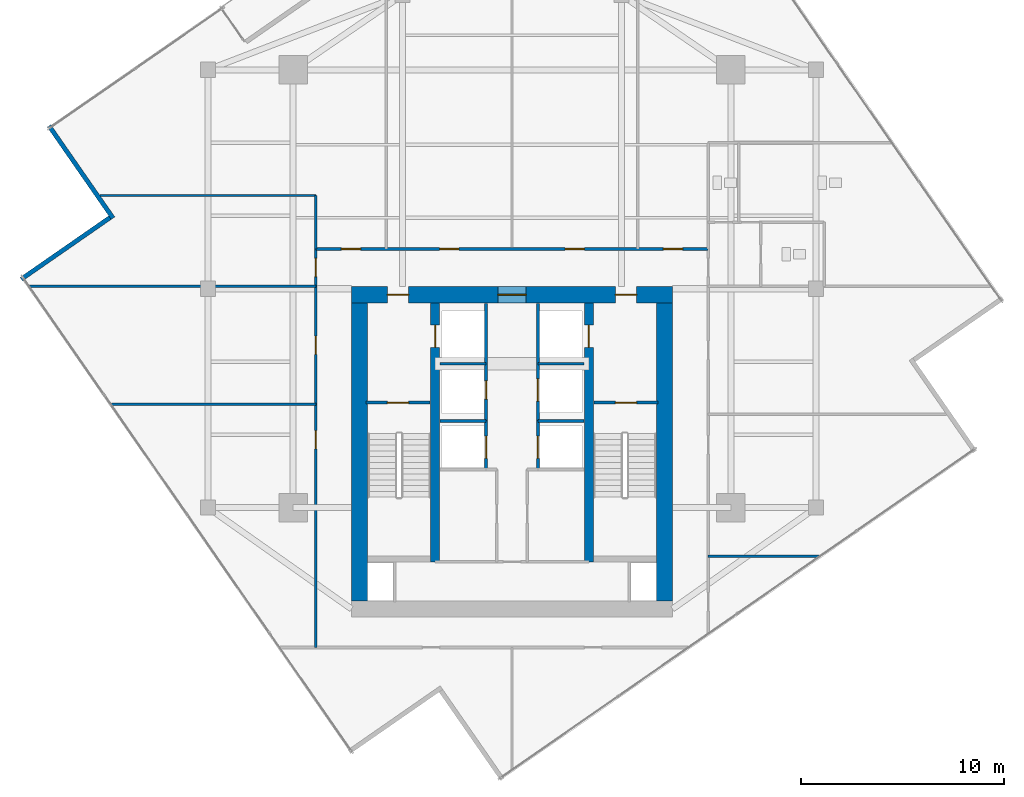
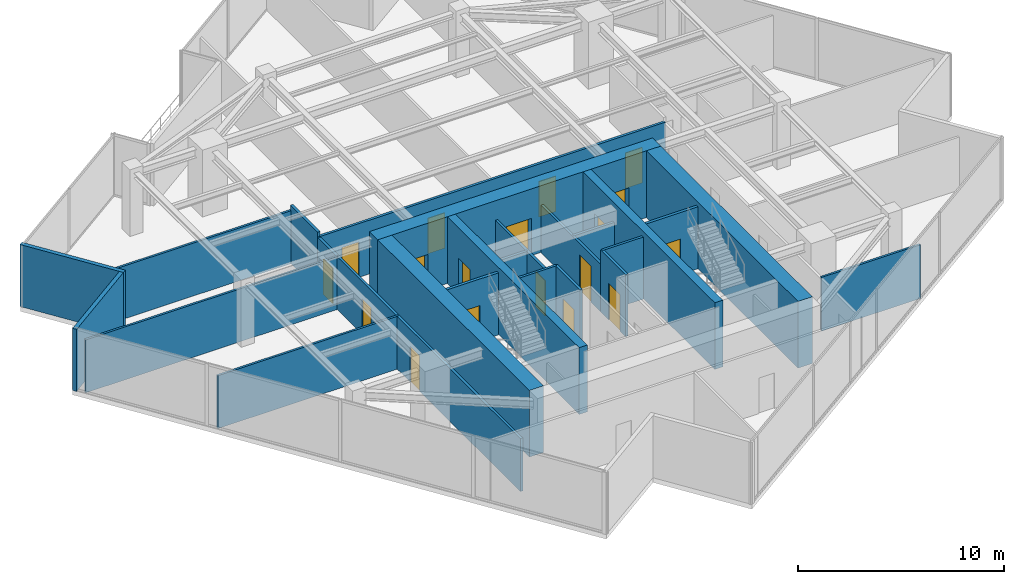
# One storey, part 18 of 21: 24 walls, 18 doors, 18 openings.
"""IFC4 building model written with IfcOpenShell, lengths in metres."""

from ifc_helpers import new_model, si_unit, direction, frame, frame_2d, origin, place, context, subcontext, project, spatial, rectangle, extrude, material, layer, layer_set, type_object, element, fill, save


model = new_model("IFC4")

# Units and contexts
model_context = context("Model", 3, precision=1e-05, world=origin(), true_north=direction((0.0, 1.0)))
body_context = subcontext(model_context, "Body", "Model", "MODEL_VIEW")
ifc_project = project(units=[si_unit("LENGTHUNIT", "METRE"), si_unit("AREAUNIT", "SQUARE_METRE"), si_unit("VOLUMEUNIT", "CUBIC_METRE"), si_unit("PLANEANGLEUNIT", "RADIAN"), si_unit("MASSUNIT", "GRAM", prefix="KILO")], contexts=[model_context])

# Site, building, storey
site_placement = place(None, origin())
site = spatial("IfcSite", under=ifc_project, at=site_placement, CompositionType="ELEMENT")
building_placement = place(site_placement, origin())
building = spatial("IfcBuilding", under=site, at=building_placement, Name="Krantzveldt Concourse Tower", CompositionType="ELEMENT")
storey_placement = place(building_placement, frame((0.0, 0.0, 279.25)))
storey = spatial("IfcBuildingStorey", under=building, at=storey_placement, Name="L68", CompositionType="ELEMENT", Elevation=279.25)

# Walls
ifc_material_1 = material(Name="Anodised aluminium 6063-T6", Category="aluminium")
ifc_layer_1 = layer(ifc_material_1, 0.219970703125, Name="Anodised aluminium 6063-T6", Category="aluminium")
ifc_layer_set_1 = layer_set([ifc_layer_1], Name="Anodised aluminium 6063-T6 (WL-EXT-NOTCH220)")
wall_type_1 = type_object("IfcWallType", Name="WL-EXT-NOTCH220", PredefinedType="ELEMENTEDWALL", material=ifc_layer_set_1)
wall_1_placement = place(storey_placement, frame((13.154541015625, 34.736572265625, 0.0), z_axis=(0.0, 0.0, 1.0), x_axis=(0.569988141022, -0.821652918874, 0.0)))
element("IfcWall", 1, at=wall_1_placement, inside=storey, type_object=wall_type_1, Name="EW-L68-NCH06", PredefinedType="ELEMENTEDWALL", context=body_context, shape_type="SweptSolid", body=[
    extrude(rectangle(XDim=5.545166015625, YDim=0.219970703125, at=frame_2d((2.7724609375, 0.0))), origin(), (0.0, 0.0, 1.0), 3.669921875),
])
wall_2_placement = place(storey_placement, frame((16.162109375, 30.208251953125, 0.0), z_axis=(0.0, 0.0, 1.0), x_axis=(-0.821652092748, -0.569989331903, 0.0)))
element("IfcWall", 2, at=wall_2_placement, inside=storey, type_object=wall_type_1, Name="EW-L68-NCH07", PredefinedType="ELEMENTEDWALL", context=body_context, shape_type="SweptSolid", body=[
    extrude(rectangle(XDim=5.324951171875, YDim=0.219970703125, at=frame_2d((2.66259765625, 0.0))), origin(), (0.0, 0.0, 1.0), 3.669921875),
])
ifc_material_2 = material(Name="Fire-rated gypsum plasterboard on steel stud", Category="steel")
ifc_layer_2 = layer(ifc_material_2, 0.1201171875, Name="Fire-rated gypsum plasterboard on steel stud", Category="steel")
ifc_layer_set_2 = layer_set([ifc_layer_2], Name="Fire-rated gypsum plasterboard on steel stud (WL-PART-120)")
wall_type_2 = type_object("IfcWallType", Name="WL-PART-120", PredefinedType="PARTITIONING", material=ifc_layer_set_2)
wall_3_placement = place(storey_placement, frame((12.171875, 26.820068359375, 0.0), z_axis=(0.0, 0.0, 1.0), x_axis=(1.0, 0.0, 0.0)))
element("IfcWall", 3, at=wall_3_placement, inside=storey, type_object=wall_type_2, Name="WP-L68-PNTS", PredefinedType="PARTITIONING", context=body_context, shape_type="SweptSolid", body=[
    extrude(rectangle(XDim=14.148193359375, YDim=0.1201171875, at=frame_2d((7.07421875, 0.0))), origin(), (0.0, 0.0, 1.0), 3.1298828125),
])
wall_4_placement = place(storey_placement, frame((15.6787109375, 31.300048828125, 0.0), z_axis=(0.0, 0.0, 1.0), x_axis=(1.0, 0.0, 0.0)))
element("IfcWall", 4, at=wall_4_placement, inside=storey, type_object=wall_type_2, Name="WP-L68-PNTN", PredefinedType="PARTITIONING", context=body_context, shape_type="SweptSolid", body=[
    extrude(rectangle(XDim=10.641357421875, YDim=0.1201171875, at=frame_2d((5.32080078125, 0.0))), origin(), (0.0, 0.0, 1.0), 3.1298828125),
])
wall_5_placement = place(storey_placement, frame((16.209228515625, 21.0, 0.0), z_axis=(0.0, 0.0, 1.0), x_axis=(1.0, 0.0, 0.0)))
element("IfcWall", 5, at=wall_5_placement, inside=storey, type_object=wall_type_2, Name="WP-L68-WD1", PredefinedType="PARTITIONING", context=body_context, shape_type="SweptSolid", body=[
    extrude(rectangle(XDim=10.11083984375, YDim=0.1201171875, at=frame_2d((5.055419921875, 0.0))), origin(), (0.0, 0.0, 1.0), 3.1298828125),
])
wall_6_placement = place(storey_placement, frame((45.679931640625, 13.5, 0.0), z_axis=(0.0, 0.0, 1.0), x_axis=(1.0, 0.0, 0.0)))
element("IfcWall", 6, at=wall_6_placement, inside=storey, type_object=wall_type_2, Name="WP-L68-ED1", PredefinedType="PARTITIONING", context=body_context, shape_type="SweptSolid", body=[
    extrude(rectangle(XDim=5.5205078125, YDim=0.1201171875, at=frame_2d((2.76025390625, 0.0))), origin(), (0.0, 0.0, 1.0), 3.179931640625),
])

# Wall, openings, doors
ifc_layer_3 = layer(ifc_material_2, 0.139892578125, Name="Fire-rated gypsum plasterboard on steel stud", Category="steel")
ifc_layer_set_3 = layer_set([ifc_layer_3], Name="Fire-rated gypsum plasterboard on steel stud (WL-PART-140)")
wall_type_3 = type_object("IfcWallType", Name="WL-PART-140", PredefinedType="PARTITIONING", material=ifc_layer_set_3)
wall_7_placement = place(storey_placement, frame((26.320068359375, 28.659912109375, 0.0), z_axis=(0.0, 0.0, 1.0), x_axis=(1.0, 0.0, 0.0)))
wall_7 = element("IfcWall", 7, at=wall_7_placement, inside=storey, type_object=wall_type_3, Name="WP-L68-CNHDR", PredefinedType="PARTITIONING", context=body_context, shape_type="SweptSolid", body=[
    extrude(rectangle(XDim=19.35986328125, YDim=0.139892578125, at=frame_2d((9.679931640625, 0.0))), origin(), (0.0, 0.0, 1.0), 3.179931640625),
])
opening_1_placement = place(wall_7_placement, frame((1.264892578125, 0.0, 0.0)))
opening_1 = element("IfcOpeningElement", 8, at=opening_1_placement, cuts=wall_7, Name="Opening D-IN095", PredefinedType="OPENING", context=body_context, shape_type="SweptSolid", body=[
    extrude(rectangle(XDim=0.949951171875, YDim=2.10009765625, at=frame_2d((0.47509765625, 1.050048828125))), frame((0.0, 0.080078125, 0.0), z_axis=(0.0, -1.0, 0.0), x_axis=(1.0, 0.0, 0.0)), (0.0, 0.0, 1.0), 0.159912109375),
])
opening_2_placement = place(wall_7_placement, frame((6.10498046875, 0.0, 0.0)))
opening_2 = element("IfcOpeningElement", 9, at=opening_2_placement, cuts=wall_7, Name="Opening D-IN095", PredefinedType="OPENING", context=body_context, shape_type="SweptSolid", body=[
    extrude(rectangle(XDim=0.949951171875, YDim=2.10009765625, at=frame_2d((0.47509765625, 1.050048828125))), frame((0.0, 0.080078125, 0.0), z_axis=(0.0, -1.0, 0.0), x_axis=(1.0, 0.0, 0.0)), (0.0, 0.0, 1.0), 0.159912109375),
])
opening_3_placement = place(wall_7_placement, frame((12.304931640625, 0.0, 0.0)))
opening_3 = element("IfcOpeningElement", 10, at=opening_3_placement, cuts=wall_7, Name="Opening D-IN095", PredefinedType="OPENING", context=body_context, shape_type="SweptSolid", body=[
    extrude(rectangle(XDim=0.949951171875, YDim=2.10009765625, at=frame_2d((0.47509765625, 1.050048828125))), frame((0.0, 0.080078125, 0.0), z_axis=(0.0, -1.0, 0.0), x_axis=(1.0, 0.0, 0.0)), (0.0, 0.0, 1.0), 0.159912109375),
])
opening_4_placement = place(wall_7_placement, frame((17.14501953125, 0.0, 0.0)))
opening_4 = element("IfcOpeningElement", 11, at=opening_4_placement, cuts=wall_7, Name="Opening D-IN095", PredefinedType="OPENING", context=body_context, shape_type="SweptSolid", body=[
    extrude(rectangle(XDim=0.949951171875, YDim=2.10009765625, at=frame_2d((0.47509765625, 1.050048828125))), frame((0.0, 0.080078125, 0.0), z_axis=(0.0, -1.0, 0.0), x_axis=(1.0, 0.0, 0.0)), (0.0, 0.0, 1.0), 0.159912109375),
])
ifc_material_3 = material(Name="Hardwood timber", Category="wood")
door_type_1 = type_object("IfcDoorType", Name="DR-INT-950", OperationType="SINGLE_SWING_LEFT", PredefinedType="DOOR", material=ifc_material_3)
door_1_placement = place(opening_1_placement, origin())
door_1 = element("IfcDoor", 12, at=door_1_placement, inside=storey, type_object=door_type_1, Name="DR-L68-NR1", OperationType="SINGLE_SWING_LEFT", OverallHeight=2.10009765625, OverallWidth=0.949951171875, PredefinedType="DOOR", context=body_context, shape_type="SweptSolid", body=[
    extrude(rectangle(XDim=0.949951171875, YDim=2.10009765625, at=frame_2d((0.47509765625, 1.050048828125))), frame((0.0, 0.02490234375, 0.0), z_axis=(0.0, -1.0, 0.0), x_axis=(1.0, 0.0, 0.0)), (0.0, 0.0, 1.0), 0.050048828125),
])
fill(opening_1, door_1)
door_2_placement = place(opening_2_placement, origin())
door_2 = element("IfcDoor", 13, at=door_2_placement, inside=storey, type_object=door_type_1, Name="DR-L68-NR2", OperationType="SINGLE_SWING_LEFT", OverallHeight=2.10009765625, OverallWidth=0.949951171875, PredefinedType="DOOR", context=body_context, shape_type="SweptSolid", body=[
    extrude(rectangle(XDim=0.949951171875, YDim=2.10009765625, at=frame_2d((0.47509765625, 1.050048828125))), frame((0.0, 0.02490234375, 0.0), z_axis=(0.0, -1.0, 0.0), x_axis=(1.0, 0.0, 0.0)), (0.0, 0.0, 1.0), 0.050048828125),
])
fill(opening_2, door_2)
door_3_placement = place(opening_3_placement, origin())
door_3 = element("IfcDoor", 14, at=door_3_placement, inside=storey, type_object=door_type_1, Name="DR-L68-NR3", OperationType="SINGLE_SWING_LEFT", OverallHeight=2.10009765625, OverallWidth=0.949951171875, PredefinedType="DOOR", context=body_context, shape_type="SweptSolid", body=[
    extrude(rectangle(XDim=0.949951171875, YDim=2.10009765625, at=frame_2d((0.47509765625, 1.050048828125))), frame((0.0, 0.02490234375, 0.0), z_axis=(0.0, -1.0, 0.0), x_axis=(1.0, 0.0, 0.0)), (0.0, 0.0, 1.0), 0.050048828125),
])
fill(opening_3, door_3)
door_4_placement = place(opening_4_placement, origin())
door_4 = element("IfcDoor", 15, at=door_4_placement, inside=storey, type_object=door_type_1, Name="DR-L68-NR4", OperationType="SINGLE_SWING_LEFT", OverallHeight=2.10009765625, OverallWidth=0.949951171875, PredefinedType="DOOR", context=body_context, shape_type="SweptSolid", body=[
    extrude(rectangle(XDim=0.949951171875, YDim=2.10009765625, at=frame_2d((0.47509765625, 1.050048828125))), frame((0.0, 0.02490234375, 0.0), z_axis=(0.0, -1.0, 0.0), x_axis=(1.0, 0.0, 0.0)), (0.0, 0.0, 1.0), 0.050048828125),
])
fill(opening_4, door_4)

wall_8_placement = place(storey_placement, frame((26.320068359375, 9.0, 0.0), z_axis=(0.0, 0.0, 1.0), x_axis=(0.0, 1.0, 0.0)))
wall_8 = element("IfcWall", 16, at=wall_8_placement, inside=storey, type_object=wall_type_3, Name="WP-L68-CWEST", PredefinedType="PARTITIONING", context=body_context, shape_type="SweptSolid", body=[
    extrude(rectangle(XDim=19.659912109375, YDim=0.139892578125, at=frame_2d((9.830078125, 0.0))), origin(), (0.0, 0.0, 1.0), 3.1298828125),
])
opening_5_placement = place(wall_8_placement, frame((18.300048828125, 0.0, 0.0)))
opening_5 = element("IfcOpeningElement", 17, at=opening_5_placement, cuts=wall_8, Name="Opening D-IN090", PredefinedType="OPENING", context=body_context, shape_type="SweptSolid", body=[
    extrude(rectangle(XDim=0.89990234375, YDim=2.10009765625, at=frame_2d((0.449951171875, 1.050048828125))), frame((0.0, 0.080078125, 0.0), z_axis=(0.0, -1.0, 0.0), x_axis=(1.0, 0.0, 0.0)), (0.0, 0.0, 1.0), 0.159912109375),
])
opening_6_placement = place(wall_8_placement, frame((9.800048828125, 0.0, 0.0)))
opening_6 = element("IfcOpeningElement", 18, at=opening_6_placement, cuts=wall_8, Name="Opening D-IN090", PredefinedType="OPENING", context=body_context, shape_type="SweptSolid", body=[
    extrude(rectangle(XDim=0.89990234375, YDim=2.10009765625, at=frame_2d((0.449951171875, 1.050048828125))), frame((0.0, 0.080078125, 0.0), z_axis=(0.0, -1.0, 0.0), x_axis=(1.0, 0.0, 0.0)), (0.0, 0.0, 1.0), 0.159912109375),
])
opening_7_placement = place(wall_8_placement, frame((14.4599609375, 0.0, 0.0)))
opening_7 = element("IfcOpeningElement", 19, at=opening_7_placement, cuts=wall_8, Name="Opening D-IN090", PredefinedType="OPENING", context=body_context, shape_type="SweptSolid", body=[
    extrude(rectangle(XDim=0.89990234375, YDim=2.10009765625, at=frame_2d((0.449951171875, 1.050048828125))), frame((0.0, 0.080078125, 0.0), z_axis=(0.0, -1.0, 0.0), x_axis=(1.0, 0.0, 0.0)), (0.0, 0.0, 1.0), 0.159912109375),
])
door_type_2 = type_object("IfcDoorType", Name="DR-INT-900", OperationType="SINGLE_SWING_LEFT", PredefinedType="DOOR", material=ifc_material_3)
door_5_placement = place(opening_5_placement, origin())
door_5 = element("IfcDoor", 20, at=door_5_placement, inside=storey, type_object=door_type_2, Name="DR-L68-PNT", OperationType="SINGLE_SWING_LEFT", OverallHeight=2.10009765625, OverallWidth=0.89990234375, PredefinedType="DOOR", context=body_context, shape_type="SweptSolid", body=[
    extrude(rectangle(XDim=0.89990234375, YDim=2.10009765625, at=frame_2d((0.449951171875, 1.050048828125))), frame((0.0, 0.02490234375, 0.0), z_axis=(0.0, -1.0, 0.0), x_axis=(1.0, 0.0, 0.0)), (0.0, 0.0, 1.0), 0.050048828125),
])
fill(opening_5, door_5)
door_6_placement = place(opening_6_placement, origin())
door_6 = element("IfcDoor", 21, at=door_6_placement, inside=storey, type_object=door_type_2, Name="DR-L68-WR1", OperationType="SINGLE_SWING_LEFT", OverallHeight=2.10009765625, OverallWidth=0.89990234375, PredefinedType="DOOR", context=body_context, shape_type="SweptSolid", body=[
    extrude(rectangle(XDim=0.89990234375, YDim=2.10009765625, at=frame_2d((0.449951171875, 1.050048828125))), frame((0.0, 0.02490234375, 0.0), z_axis=(0.0, -1.0, 0.0), x_axis=(1.0, 0.0, 0.0)), (0.0, 0.0, 1.0), 0.050048828125),
])
fill(opening_6, door_6)
door_7_placement = place(opening_7_placement, origin())
door_7 = element("IfcDoor", 22, at=door_7_placement, inside=storey, type_object=door_type_2, Name="DR-L68-WR2", OperationType="SINGLE_SWING_LEFT", OverallHeight=2.10009765625, OverallWidth=0.89990234375, PredefinedType="DOOR", context=body_context, shape_type="SweptSolid", body=[
    extrude(rectangle(XDim=0.89990234375, YDim=2.10009765625, at=frame_2d((0.449951171875, 1.050048828125))), frame((0.0, 0.02490234375, 0.0), z_axis=(0.0, -1.0, 0.0), x_axis=(1.0, 0.0, 0.0)), (0.0, 0.0, 1.0), 0.050048828125),
])
fill(opening_7, door_7)

# Wall
wall_9_placement = place(storey_placement, frame((26.320068359375, 28.659912109375, 0.0), z_axis=(0.0, 0.0, 1.0), x_axis=(0.0, 1.0, 0.0)))
element("IfcWall", 23, at=wall_9_placement, inside=storey, type_object=wall_type_3, Name="WP-L68-NWL", PredefinedType="PARTITIONING", context=body_context, shape_type="SweptSolid", body=[
    extrude(rectangle(XDim=2.64013671875, YDim=0.139892578125, at=frame_2d((1.320068359375, 0.0))), origin(), (0.0, 0.0, 1.0), 3.429931640625),
])

# Wall, opening, door
ifc_layer_4 = layer(ifc_material_2, 0.139892578125, Name="Fire-rated gypsum plasterboard on steel stud", Category="steel")
ifc_layer_set_4 = layer_set([ifc_layer_4], Name="Fire-rated gypsum plasterboard on steel stud (WL-PART-FR140)")
wall_type_4 = type_object("IfcWallType", Name="WL-PART-FR140", PredefinedType="PARTITIONING", material=ifc_layer_set_4)
wall_10_placement = place(storey_placement, frame((34.719970703125, 20.199951171875, 0.0), z_axis=(0.0, 0.0, 1.0), x_axis=(0.0, 1.0, 0.0)))
wall_10 = element("IfcWall", 24, at=wall_10_placement, inside=storey, type_object=wall_type_4, Name="WP-L68-SHNW", PredefinedType="PARTITIONING", context=body_context, shape_type="SweptSolid", body=[
    extrude(rectangle(XDim=5.780029296875, YDim=0.139892578125, at=frame_2d((2.89013671875, 0.0))), origin(), (0.0, 0.0, 1.0), 2.820068359375),
])
opening_8_placement = place(wall_10_placement, frame((1.050048828125, 0.0, 0.0)))
opening_8 = element("IfcOpeningElement", 25, at=opening_8_placement, cuts=wall_10, Name="Opening D-FD090", PredefinedType="OPENING", context=body_context, shape_type="SweptSolid", body=[
    extrude(rectangle(XDim=0.89990234375, YDim=2.10009765625, at=frame_2d((0.449951171875, 1.050048828125))), frame((0.0, 0.080078125, 0.0), z_axis=(0.0, -1.0, 0.0), x_axis=(1.0, 0.0, 0.0)), (0.0, 0.0, 1.0), 0.159912109375),
])
door_type_3 = type_object("IfcDoorType", Name="DR-FD60-900", OperationType="SINGLE_SWING_LEFT", PredefinedType="DOOR", material=ifc_material_3)
door_8_placement = place(opening_8_placement, origin())
door_8 = element("IfcDoor", 26, at=door_8_placement, inside=storey, type_object=door_type_3, Name="Electrical Riser Access Door L68", OperationType="SINGLE_SWING_LEFT", OverallHeight=2.10009765625, OverallWidth=0.89990234375, PredefinedType="DOOR", context=body_context, shape_type="SweptSolid", body=[
    extrude(rectangle(XDim=0.89990234375, YDim=2.10009765625, at=frame_2d((0.449951171875, 1.050048828125))), frame((0.0, 0.02490234375, 0.0), z_axis=(0.0, -1.0, 0.0), x_axis=(1.0, 0.0, 0.0)), (0.0, 0.0, 1.0), 0.050048828125),
])
fill(opening_8, door_8)

wall_11_placement = place(storey_placement, frame((37.280029296875, 20.199951171875, 0.0), z_axis=(0.0, 0.0, 1.0), x_axis=(0.0, 1.0, 0.0)))
wall_11 = element("IfcWall", 27, at=wall_11_placement, inside=storey, type_object=wall_type_4, Name="WP-L68-SHNE", PredefinedType="PARTITIONING", context=body_context, shape_type="SweptSolid", body=[
    extrude(rectangle(XDim=5.780029296875, YDim=0.139892578125, at=frame_2d((2.89013671875, 0.0))), origin(), (0.0, 0.0, 1.0), 2.820068359375),
])
opening_9_placement = place(wall_11_placement, frame((0.949951171875, 0.0, 0.0)))
opening_9 = element("IfcOpeningElement", 28, at=opening_9_placement, cuts=wall_11, Name="Opening LD", PredefinedType="OPENING", context=body_context, shape_type="SweptSolid", body=[
    extrude(rectangle(XDim=1.10009765625, YDim=2.14990234375, at=frame_2d((0.550048828125, 1.074951171875))), frame((0.0, 0.080078125, 0.0), z_axis=(0.0, -1.0, 0.0), x_axis=(1.0, 0.0, 0.0)), (0.0, 0.0, 1.0), 0.159912109375),
])
ifc_material_4 = material(Name="Stainless steel 316L", Category="steel")
door_type_4 = type_object("IfcDoorType", Name="DR-SLIDE-LD1100", OperationType="DOUBLE_DOOR_SLIDING", PredefinedType="DOOR", material=ifc_material_4)
door_9_placement = place(opening_9_placement, origin())
door_9 = element("IfcDoor", 29, at=door_9_placement, inside=storey, type_object=door_type_4, Name="LD-L68-GL1", OperationType="DOUBLE_DOOR_SLIDING", OverallHeight=2.14990234375, OverallWidth=1.10009765625, PredefinedType="DOOR", context=body_context, shape_type="SweptSolid", body=[
    extrude(rectangle(XDim=1.10009765625, YDim=2.14990234375, at=frame_2d((0.550048828125, 1.074951171875))), frame((0.0, 0.02490234375, 0.0), z_axis=(0.0, -1.0, 0.0), x_axis=(1.0, 0.0, 0.0)), (0.0, 0.0, 1.0), 0.050048828125),
])
fill(opening_9, door_9)

# Walls
for number, where, z_axis, x_axis, name in (
    (30, (32.449951171875, 23.0, 0.0), (0.0, 0.0, 1.0), (1.0, 0.0, 0.0), "WP-L68-RISH"),
    (31, (37.280029296875, 23.0, 0.0), (0.0, 0.0, 1.0), (1.0, 0.0, 0.0), "WP-L68-GLH"),
):
    element("IfcWall", number, at=place(storey_placement, frame(where, z_axis=z_axis, x_axis=x_axis)), inside=storey, type_object=wall_type_4, Name=name, PredefinedType="PARTITIONING", context=body_context, shape_type="SweptSolid", body=[
        extrude(rectangle(XDim=2.27001953125, YDim=0.139892578125, at=frame_2d((1.135009765625, 0.0))), origin(), (0.0, 0.0, 1.0), 2.820068359375),
    ])

# Wall, opening, door
wall_12_placement = place(storey_placement, frame((34.719970703125, 17.780029296875, 0.0), z_axis=(0.0, 0.0, 1.0), x_axis=(0.0, 1.0, 0.0)))
wall_12 = element("IfcWall", 32, at=wall_12_placement, inside=storey, type_object=wall_type_4, Name="WP-L68-SHNW2", PredefinedType="PARTITIONING", context=body_context, shape_type="SweptSolid", body=[
    extrude(rectangle(XDim=2.419921875, YDim=0.139892578125, at=frame_2d((1.2099609375, 0.0))), origin(), (0.0, 0.0, 1.0), 3.669921875),
])
opening_10_placement = place(wall_12_placement, frame((0.550048828125, 0.0, 0.0)))
opening_10 = element("IfcOpeningElement", 33, at=opening_10_placement, cuts=wall_12, Name="Opening LD", PredefinedType="OPENING", context=body_context, shape_type="SweptSolid", body=[
    extrude(rectangle(XDim=1.10009765625, YDim=2.14990234375, at=frame_2d((0.550048828125, 1.074951171875))), frame((0.0, 0.080078125, 0.0), z_axis=(0.0, -1.0, 0.0), x_axis=(1.0, 0.0, 0.0)), (0.0, 0.0, 1.0), 0.159912109375),
])
door_10_placement = place(opening_10_placement, origin())
door_10 = element("IfcDoor", 34, at=door_10_placement, inside=storey, type_object=door_type_4, Name="LD-L68-PH1", OperationType="DOUBLE_DOOR_SLIDING", OverallHeight=2.14990234375, OverallWidth=1.10009765625, PredefinedType="DOOR", context=body_context, shape_type="SweptSolid", body=[
    extrude(rectangle(XDim=1.10009765625, YDim=2.14990234375, at=frame_2d((0.550048828125, 1.074951171875))), frame((0.0, 0.02490234375, 0.0), z_axis=(0.0, -1.0, 0.0), x_axis=(1.0, 0.0, 0.0)), (0.0, 0.0, 1.0), 0.050048828125),
])
fill(opening_10, door_10)

wall_13_placement = place(storey_placement, frame((37.280029296875, 17.780029296875, 0.0), z_axis=(0.0, 0.0, 1.0), x_axis=(0.0, 1.0, 0.0)))
wall_13 = element("IfcWall", 35, at=wall_13_placement, inside=storey, type_object=wall_type_4, Name="WP-L68-SHNE2", PredefinedType="PARTITIONING", context=body_context, shape_type="SweptSolid", body=[
    extrude(rectangle(XDim=2.419921875, YDim=0.139892578125, at=frame_2d((1.2099609375, 0.0))), origin(), (0.0, 0.0, 1.0), 3.669921875),
])
opening_11_placement = place(wall_13_placement, frame((0.550048828125, 0.0, 0.0)))
opening_11 = element("IfcOpeningElement", 36, at=opening_11_placement, cuts=wall_13, Name="Opening LD", PredefinedType="OPENING", context=body_context, shape_type="SweptSolid", body=[
    extrude(rectangle(XDim=1.10009765625, YDim=2.14990234375, at=frame_2d((0.550048828125, 1.074951171875))), frame((0.0, 0.080078125, 0.0), z_axis=(0.0, -1.0, 0.0), x_axis=(1.0, 0.0, 0.0)), (0.0, 0.0, 1.0), 0.159912109375),
])
door_11_placement = place(opening_11_placement, origin())
door_11 = element("IfcDoor", 37, at=door_11_placement, inside=storey, type_object=door_type_4, Name="LD-L68-PH2", OperationType="DOUBLE_DOOR_SLIDING", OverallHeight=2.14990234375, OverallWidth=1.10009765625, PredefinedType="DOOR", context=body_context, shape_type="SweptSolid", body=[
    extrude(rectangle(XDim=1.10009765625, YDim=2.14990234375, at=frame_2d((0.550048828125, 1.074951171875))), frame((0.0, 0.02490234375, 0.0), z_axis=(0.0, -1.0, 0.0), x_axis=(1.0, 0.0, 0.0)), (0.0, 0.0, 1.0), 0.050048828125),
])
fill(opening_11, door_11)

# Walls
for number, where, z_axis, x_axis, name in (
    (38, (32.449951171875, 20.179931640625, 0.0), (0.0, 0.0, 1.0), (1.0, 0.0, 0.0), "WP-L68-DIVW3"),
    (39, (37.280029296875, 20.179931640625, 0.0), (0.0, 0.0, 1.0), (1.0, 0.0, 0.0), "WP-L68-DIVE3"),
):
    element("IfcWall", number, at=place(storey_placement, frame(where, z_axis=z_axis, x_axis=x_axis)), inside=storey, type_object=wall_type_4, Name=name, PredefinedType="PARTITIONING", context=body_context, shape_type="SweptSolid", body=[
        extrude(rectangle(XDim=2.27001953125, YDim=0.139892578125, at=frame_2d((1.135009765625, 0.0))), origin(), (0.0, 0.0, 1.0), 3.669921875),
    ])

# Wall, opening, door
ifc_layer_5 = layer(ifc_material_2, 0.159912109375, Name="Fire-rated gypsum plasterboard on steel stud", Category="steel")
ifc_layer_set_5 = layer_set([ifc_layer_5], Name="Fire-rated gypsum plasterboard on steel stud (WL-PART-FR160)")
wall_type_5 = type_object("IfcWallType", Name="WL-PART-FR160", PredefinedType="PARTITIONING", material=ifc_layer_set_5)
wall_14_placement = place(storey_placement, frame((28.800048828125, 21.080078125, 0.0), z_axis=(0.0, 0.0, 1.0), x_axis=(1.0, 0.0, 0.0)))
wall_14 = element("IfcWall", 40, at=wall_14_placement, inside=storey, type_object=wall_type_5, Name="WP-L68-ST1", PredefinedType="PARTITIONING", context=body_context, shape_type="SweptSolid", body=[
    extrude(rectangle(XDim=3.159912109375, YDim=0.159912109375, at=frame_2d((1.580078125, 0.0))), origin(), (0.0, 0.0, 1.0), 3.669921875),
])
opening_12_placement = place(wall_14_placement, frame((1.054931640625, 0.0, 0.0)))
opening_12 = element("IfcOpeningElement", 41, at=opening_12_placement, cuts=wall_14, Name="Opening D-FD105", PredefinedType="OPENING", context=body_context, shape_type="SweptSolid", body=[
    extrude(rectangle(XDim=1.050048828125, YDim=2.10009765625, at=frame_2d((0.52490234375, 1.050048828125))), frame((0.0, 0.08984375, 0.0), z_axis=(0.0, -1.0, 0.0), x_axis=(1.0, 0.0, 0.0)), (0.0, 0.0, 1.0), 0.179931640625),
])
ifc_material_5 = material(Name="Galvanised steel", Category="steel")
door_type_5 = type_object("IfcDoorType", Name="DR-FD120-1050", OperationType="SINGLE_SWING_LEFT", PredefinedType="DOOR", material=ifc_material_5)
door_12_placement = place(opening_12_placement, origin())
door_12 = element("IfcDoor", 42, at=door_12_placement, inside=storey, type_object=door_type_5, Name="DR-L68-ST1", OperationType="SINGLE_SWING_RIGHT", OverallHeight=2.10009765625, OverallWidth=1.050048828125, PredefinedType="DOOR", context=body_context, shape_type="SweptSolid", body=[
    extrude(rectangle(XDim=1.050048828125, YDim=2.10009765625, at=frame_2d((0.52490234375, 1.050048828125))), frame((0.0, 0.02490234375, 0.0), z_axis=(0.0, -1.0, 0.0), x_axis=(1.0, 0.0, 0.0)), (0.0, 0.0, 1.0), 0.050048828125),
])
fill(opening_12, door_12)

wall_15_placement = place(storey_placement, frame((40.0400390625, 21.080078125, 0.0), z_axis=(0.0, 0.0, 1.0), x_axis=(1.0, 0.0, 0.0)))
wall_15 = element("IfcWall", 43, at=wall_15_placement, inside=storey, type_object=wall_type_5, Name="WP-L68-ST2", PredefinedType="PARTITIONING", context=body_context, shape_type="SweptSolid", body=[
    extrude(rectangle(XDim=3.159912109375, YDim=0.159912109375, at=frame_2d((1.580078125, 0.0))), origin(), (0.0, 0.0, 1.0), 3.669921875),
])
opening_13_placement = place(wall_15_placement, frame((1.054931640625, 0.0, 0.0)))
opening_13 = element("IfcOpeningElement", 44, at=opening_13_placement, cuts=wall_15, Name="Opening D-FD105", PredefinedType="OPENING", context=body_context, shape_type="SweptSolid", body=[
    extrude(rectangle(XDim=1.050048828125, YDim=2.10009765625, at=frame_2d((0.52490234375, 1.050048828125))), frame((0.0, 0.08984375, 0.0), z_axis=(0.0, -1.0, 0.0), x_axis=(1.0, 0.0, 0.0)), (0.0, 0.0, 1.0), 0.179931640625),
])
door_13_placement = place(opening_13_placement, origin())
door_13 = element("IfcDoor", 45, at=door_13_placement, inside=storey, type_object=door_type_5, Name="DR-L68-ST2", OperationType="SINGLE_SWING_LEFT", OverallHeight=2.10009765625, OverallWidth=1.050048828125, PredefinedType="DOOR", context=body_context, shape_type="SweptSolid", body=[
    extrude(rectangle(XDim=1.050048828125, YDim=2.10009765625, at=frame_2d((0.52490234375, 1.050048828125))), frame((0.0, 0.02490234375, 0.0), z_axis=(0.0, -1.0, 0.0), x_axis=(1.0, 0.0, 0.0)), (0.0, 0.0, 1.0), 0.050048828125),
])
fill(opening_13, door_13)

ifc_material_6 = material(Name="Concrete C50/60", Category="concrete")
ifc_layer_6 = layer(ifc_material_6, 0.449951171875, Name="Concrete C50/60", Category="concrete")
ifc_layer_set_6 = layer_set([ifc_layer_6], Name="Concrete C50/60 (WL-SHEAR-450)")
wall_type_6 = type_object("IfcWallType", Name="WL-SHEAR-450", PredefinedType="SHEAR", material=ifc_layer_set_6)
wall_16_placement = place(storey_placement, frame((32.205078125, 13.219970703125, 0.0), z_axis=(0.0, 0.0, 1.0), x_axis=(0.0, 1.0, 0.0)))
wall_16 = element("IfcWall", 46, at=wall_16_placement, inside=storey, type_object=wall_type_6, Name="CW-L68-IW", PredefinedType="SHEAR", context=body_context, shape_type="SweptSolid", body=[
    extrude(rectangle(XDim=12.780029296875, YDim=0.449951171875, at=frame_2d((6.39013671875, 0.0))), origin(), (0.0, 0.0, 1.0), 3.949951171875),
])
opening_14_placement = place(wall_16_placement, frame((10.580078125, 0.0, 0.0)))
opening_14 = element("IfcOpeningElement", 47, at=opening_14_placement, cuts=wall_16, Name="Opening LD", PredefinedType="OPENING", context=body_context, shape_type="SweptSolid", body=[
    extrude(rectangle(XDim=1.10009765625, YDim=2.14990234375, at=frame_2d((0.550048828125, 1.074951171875))), frame((0.0, 0.23486328125, 0.0), z_axis=(0.0, -1.0, 0.0), x_axis=(1.0, 0.0, 0.0)), (0.0, 0.0, 1.0), 0.469970703125),
])
door_14_placement = place(opening_14_placement, origin())
door_14 = element("IfcDoor", 48, at=door_14_placement, inside=storey, type_object=door_type_4, Name="LD-L68-FL1", OperationType="DOUBLE_DOOR_SLIDING", OverallHeight=2.14990234375, OverallWidth=1.10009765625, PredefinedType="DOOR", context=body_context, shape_type="SweptSolid", body=[
    extrude(rectangle(XDim=1.10009765625, YDim=2.14990234375, at=frame_2d((0.550048828125, 1.074951171875))), frame((0.0, 0.02490234375, 0.0), z_axis=(0.0, -1.0, 0.0), x_axis=(1.0, 0.0, 0.0)), (0.0, 0.0, 1.0), 0.050048828125),
])
fill(opening_14, door_14)

wall_17_placement = place(storey_placement, frame((39.794921875, 13.219970703125, 0.0), z_axis=(0.0, 0.0, 1.0), x_axis=(0.0, 1.0, 0.0)))
wall_17 = element("IfcWall", 49, at=wall_17_placement, inside=storey, type_object=wall_type_6, Name="CW-L68-IE", PredefinedType="SHEAR", context=body_context, shape_type="SweptSolid", body=[
    extrude(rectangle(XDim=12.780029296875, YDim=0.449951171875, at=frame_2d((6.39013671875, 0.0))), origin(), (0.0, 0.0, 1.0), 3.949951171875),
])
opening_15_placement = place(wall_17_placement, frame((10.580078125, 0.0, 0.0)))
opening_15 = element("IfcOpeningElement", 50, at=opening_15_placement, cuts=wall_17, Name="Opening LD", PredefinedType="OPENING", context=body_context, shape_type="SweptSolid", body=[
    extrude(rectangle(XDim=1.10009765625, YDim=2.14990234375, at=frame_2d((0.550048828125, 1.074951171875))), frame((0.0, 0.23486328125, 0.0), z_axis=(0.0, -1.0, 0.0), x_axis=(1.0, 0.0, 0.0)), (0.0, 0.0, 1.0), 0.469970703125),
])
door_15_placement = place(opening_15_placement, origin())
door_15 = element("IfcDoor", 51, at=door_15_placement, inside=storey, type_object=door_type_4, Name="LD-L68-FL2", OperationType="DOUBLE_DOOR_SLIDING", OverallHeight=2.14990234375, OverallWidth=1.10009765625, PredefinedType="DOOR", context=body_context, shape_type="SweptSolid", body=[
    extrude(rectangle(XDim=1.10009765625, YDim=2.14990234375, at=frame_2d((0.550048828125, 1.074951171875))), frame((0.0, 0.02490234375, 0.0), z_axis=(0.0, -1.0, 0.0), x_axis=(1.0, 0.0, 0.0)), (0.0, 0.0, 1.0), 0.050048828125),
])
fill(opening_15, door_15)

# Wall, openings, doors
ifc_material_7 = material(Name="Concrete C60/75", Category="concrete")
ifc_layer_7 = layer(ifc_material_7, 0.800048828125, Name="Concrete C60/75", Category="concrete")
ifc_layer_set_7 = layer_set([ifc_layer_7], Name="Concrete C60/75 (WL-SHEAR-800)")
wall_type_7 = type_object("IfcWallType", Name="WL-SHEAR-800", PredefinedType="SHEAR", material=ifc_layer_set_7)
wall_18_placement = place(storey_placement, frame((28.080078125, 26.39990234375, 0.0), z_axis=(0.0, 0.0, 1.0), x_axis=(1.0, 0.0, 0.0)))
wall_18 = element("IfcWall", 52, at=wall_18_placement, inside=storey, type_object=wall_type_7, Name="CW-L68-N", PredefinedType="SHEAR", context=body_context, shape_type="SweptSolid", body=[
    extrude(rectangle(XDim=15.83984375, YDim=0.800048828125, at=frame_2d((7.919921875, 0.0))), origin(), (0.0, 0.0, 1.0), 3.949951171875),
])
opening_16_placement = place(wall_18_placement, frame((7.219970703125, 0.0, 0.0)))
opening_16 = element("IfcOpeningElement", 53, at=opening_16_placement, cuts=wall_18, Name="Opening D-DB140", PredefinedType="OPENING", context=body_context, shape_type="SweptSolid", body=[
    extrude(rectangle(XDim=1.39990234375, YDim=2.199951171875, at=frame_2d((0.699951171875, 1.10009765625))), frame((0.0, 0.41015625, 0.0), z_axis=(0.0, -1.0, 0.0), x_axis=(1.0, 0.0, 0.0)), (0.0, 0.0, 1.0), 0.820068359375),
])
opening_17_placement = place(wall_18_placement, frame((1.77490234375, 0.0, 0.0)))
opening_17 = element("IfcOpeningElement", 54, at=opening_17_placement, cuts=wall_18, Name="Opening D-FD105", PredefinedType="OPENING", context=body_context, shape_type="SweptSolid", body=[
    extrude(rectangle(XDim=1.050048828125, YDim=2.10009765625, at=frame_2d((0.52490234375, 1.050048828125))), frame((0.0, 0.41015625, 0.0), z_axis=(0.0, -1.0, 0.0), x_axis=(1.0, 0.0, 0.0)), (0.0, 0.0, 1.0), 0.820068359375),
])
opening_18_placement = place(wall_18_placement, frame((13.014892578125, 0.0, 0.0)))
opening_18 = element("IfcOpeningElement", 55, at=opening_18_placement, cuts=wall_18, Name="Opening D-FD105", PredefinedType="OPENING", context=body_context, shape_type="SweptSolid", body=[
    extrude(rectangle(XDim=1.050048828125, YDim=2.10009765625, at=frame_2d((0.52490234375, 1.050048828125))), frame((0.0, 0.41015625, 0.0), z_axis=(0.0, -1.0, 0.0), x_axis=(1.0, 0.0, 0.0)), (0.0, 0.0, 1.0), 0.820068359375),
])
door_type_6 = type_object("IfcDoorType", Name="DR-DBL-1400", OperationType="DOUBLE_DOOR_SINGLE_SWING", PredefinedType="DOOR", material=ifc_material_1)
door_16_placement = place(opening_16_placement, origin())
door_16 = element("IfcDoor", 56, at=door_16_placement, inside=storey, type_object=door_type_6, Name="DR-L68-LLB", OperationType="DOUBLE_DOOR_SINGLE_SWING", OverallHeight=2.199951171875, OverallWidth=1.39990234375, PredefinedType="DOOR", context=body_context, shape_type="SweptSolid", body=[
    extrude(rectangle(XDim=1.39990234375, YDim=2.199951171875, at=frame_2d((0.699951171875, 1.10009765625))), frame((0.0, 0.02490234375, 0.0), z_axis=(0.0, -1.0, 0.0), x_axis=(1.0, 0.0, 0.0)), (0.0, 0.0, 1.0), 0.050048828125),
])
fill(opening_16, door_16)
door_17_placement = place(opening_17_placement, origin())
door_17 = element("IfcDoor", 57, at=door_17_placement, inside=storey, type_object=door_type_5, Name="DR-L68-FFL1", OperationType="SINGLE_SWING_LEFT", OverallHeight=2.10009765625, OverallWidth=1.050048828125, PredefinedType="DOOR", context=body_context, shape_type="SweptSolid", body=[
    extrude(rectangle(XDim=1.050048828125, YDim=2.10009765625, at=frame_2d((0.52490234375, 1.050048828125))), frame((0.0, 0.02490234375, 0.0), z_axis=(0.0, -1.0, 0.0), x_axis=(1.0, 0.0, 0.0)), (0.0, 0.0, 1.0), 0.050048828125),
])
fill(opening_17, door_17)
door_18_placement = place(opening_18_placement, origin())
door_18 = element("IfcDoor", 58, at=door_18_placement, inside=storey, type_object=door_type_5, Name="DR-L68-FFL2", OperationType="SINGLE_SWING_RIGHT", OverallHeight=2.10009765625, OverallWidth=1.050048828125, PredefinedType="DOOR", context=body_context, shape_type="SweptSolid", body=[
    extrude(rectangle(XDim=1.050048828125, YDim=2.10009765625, at=frame_2d((0.52490234375, 1.050048828125))), frame((0.0, 0.02490234375, 0.0), z_axis=(0.0, -1.0, 0.0), x_axis=(1.0, 0.0, 0.0)), (0.0, 0.0, 1.0), 0.050048828125),
])
fill(opening_18, door_18)

# Walls
for number, where, z_axis, x_axis, name in (
    (59, (28.47998046875, 11.300048828125, 0.0), (0.0, 0.0, 1.0), (0.0, 1.0, 0.0), "CW-L68-W"),
    (60, (43.52001953125, 11.300048828125, 0.0), (0.0, 0.0, 1.0), (0.0, 1.0, 0.0), "CW-L68-E"),
):
    element("IfcWall", number, at=place(storey_placement, frame(where, z_axis=z_axis, x_axis=x_axis)), inside=storey, type_object=wall_type_7, Name=name, PredefinedType="SHEAR", context=body_context, shape_type="SweptSolid", body=[
        extrude(rectangle(XDim=14.699951171875, YDim=0.800048828125, at=frame_2d((7.35009765625, 0.0))), origin(), (0.0, 0.0, 1.0), 3.949951171875),
    ])

save(model, "model.ifc")
